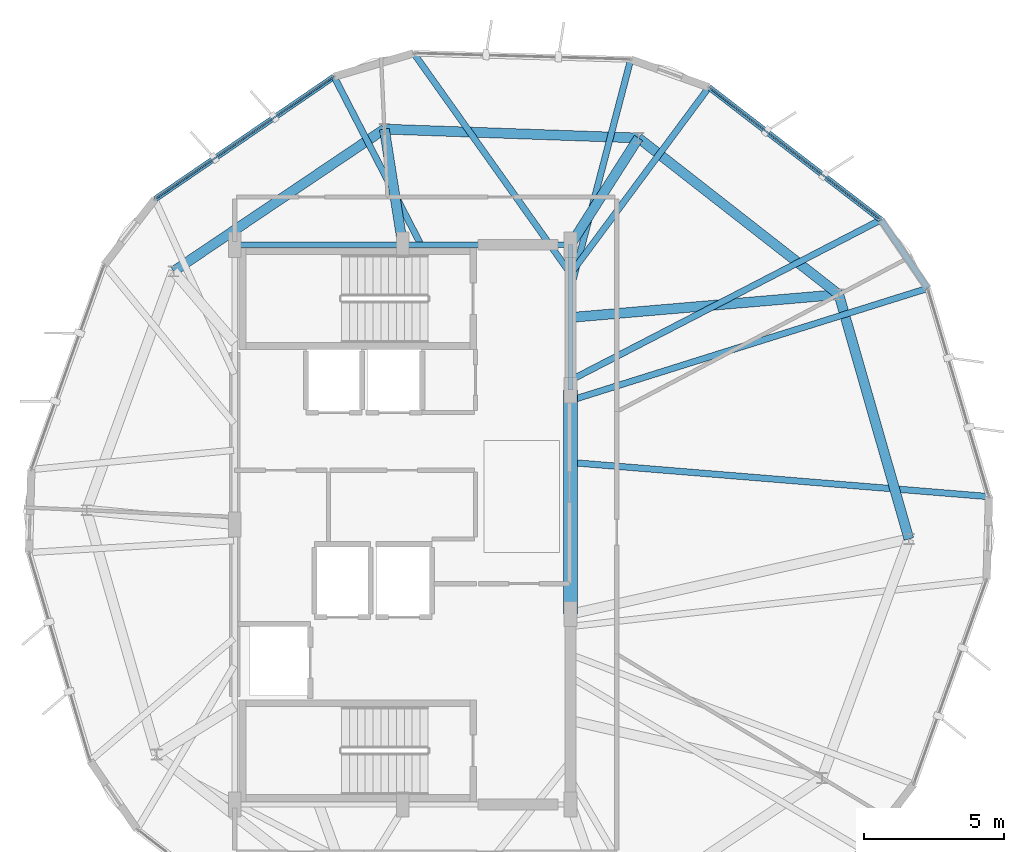
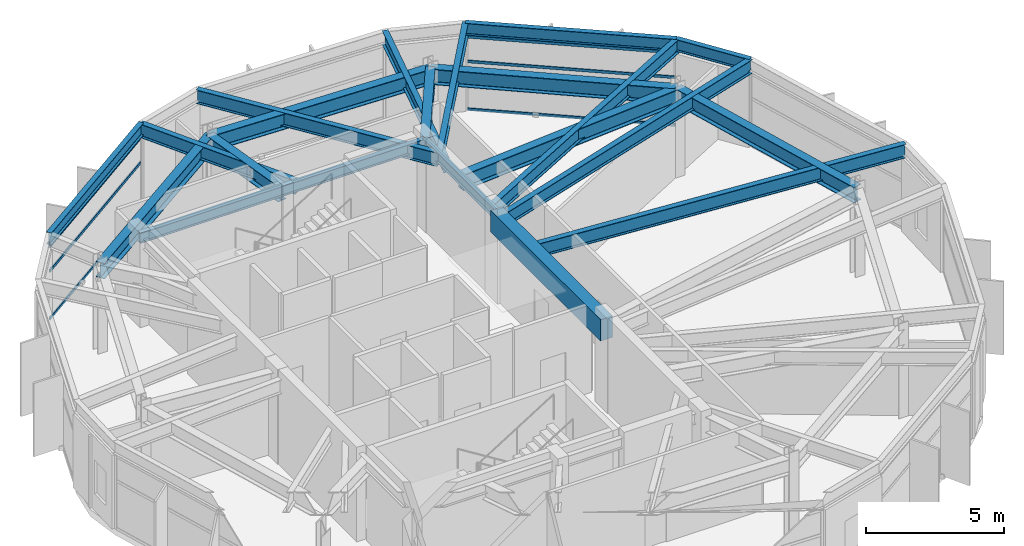
# One storey, part 10 of 20: 21 beams, 6 members, 2 elements without a shape of their own.
"""IFC4 building model written with IfcOpenShell, lengths in metres."""

from ifc_helpers import new_model, si_unit, direction, frame, origin, origin_2d, place, context, subcontext, project, spatial, rectangle, hollow_rectangle, i_section, extrude, material, layer, layer_set, material_profile, profile_set, type_object, element, aggregate, save


model = new_model("IFC4")

# Units and contexts
model_context = context("Model", 3, precision=1e-05, world=origin(), true_north=direction((0.0, 1.0)))
body_context = subcontext(model_context, "Body", "Model", "MODEL_VIEW")
ifc_project = project(units=[si_unit("LENGTHUNIT", "METRE"), si_unit("AREAUNIT", "SQUARE_METRE"), si_unit("VOLUMEUNIT", "CUBIC_METRE"), si_unit("PLANEANGLEUNIT", "RADIAN"), si_unit("MASSUNIT", "GRAM", prefix="KILO")], contexts=[model_context])

# Site, building, storey
site_placement = place(None, origin())
site = spatial("IfcSite", under=ifc_project, at=site_placement, CompositionType="ELEMENT")
building_placement = place(site_placement, origin())
building = spatial("IfcBuilding", under=site, at=building_placement, Name="Soratama Intermodal Tower", CompositionType="ELEMENT")
storey_placement = place(building_placement, frame((0.0, 0.0, 293.050048828125)))
storey = spatial("IfcBuildingStorey", under=building, at=storey_placement, Name="L74", CompositionType="ELEMENT", Elevation=293.050048828125)

# Beams
ifc_material_1 = material(Name="Concrete f'c 56 MPa", Category="concrete")
ifc_material_profile_1 = material_profile(ifc_material_1, rectangle(XDim=0.5, YDim=0.949951171875, at=origin_2d()), Name="RC500X950")
ifc_profile_set_1 = profile_set([ifc_material_profile_1], Name="Concrete f'c 56 MPa")
beam_type_1 = type_object("IfcBeamType", Name="BM-CPL-RC500X950", PredefinedType="BEAM", material=ifc_profile_set_1)
beam_1_placement = place(storey_placement, frame((44.60009765625, 21.800048828125, 3.419921875), z_axis=(0.0, 1.0, 0.0), x_axis=(-1.0, 0.0, 0.0)))
element("IfcBeam", 1, at=beam_1_placement, inside=storey, type_object=beam_type_1, Name="L74 Core Coupling Beam East", PredefinedType="BEAM", context=body_context, shape_type="SweptSolid", body=[
    extrude(rectangle(XDim=0.5, YDim=0.949951171875, at=origin_2d()), origin(), (0.0, 0.0, 1.0), 8.0),
])
ifc_material_2 = material(Name="Structural steel ASTM A992 Grade 50", Category="steel")
ifc_material_profile_2 = material_profile(ifc_material_2, i_section(OverallWidth=0.19091796875, OverallDepth=0.4599609375, WebThickness=0.010009765625, FlangeThickness=0.01611328125, FilletRadius=0.010986328125, at=origin_2d()), Name="W18X55")
ifc_profile_set_2 = profile_set([ifc_material_profile_2], Name="Structural steel ASTM A992 Grade 50")
beam_type_2 = type_object("IfcBeamType", Name="BM-FLR-W18X55", PredefinedType="BEAM", material=ifc_profile_set_2)
beam_2_placement = place(storey_placement, frame((44.60009765625, 29.800048828125, 3.6650390625), z_axis=(0.0, 1.0, 0.0), x_axis=(-1.0, 0.0, 0.0)))
element("IfcBeam", 2, at=beam_2_placement, inside=storey, type_object=beam_type_2, Name="BM-L74-CRING-05", PredefinedType="BEAM", context=body_context, shape_type="SweptSolid", body=[
    extrude(i_section(OverallWidth=0.19091796875, OverallDepth=0.4599609375, WebThickness=0.010009765625, FlangeThickness=0.01611328125, FilletRadius=0.010986328125, at=origin_2d()), origin(), (0.0, 0.0, 1.0), 5.199951171875),
])
for number, where, z_axis, x_axis, name in (
    (3, (44.60009765625, 35.0, 3.6650390625), (-1.0, 0.0, 0.0), (0.0, -1.0, 0.0), "BM-L74-CRING-06"),
    (4, (38.60009765625, 35.0, 3.6650390625), (-1.0, 0.0, 0.0), (0.0, -1.0, 0.0), "BM-L74-CRING-07"),
):
    element("IfcBeam", number, at=place(storey_placement, frame(where, z_axis=z_axis, x_axis=x_axis)), inside=storey, type_object=beam_type_2, Name=name, PredefinedType="BEAM", context=body_context, shape_type="SweptSolid", body=[
        extrude(i_section(OverallWidth=0.19091796875, OverallDepth=0.4599609375, WebThickness=0.010009765625, FlangeThickness=0.01611328125, FilletRadius=0.010986328125, at=origin_2d()), origin(), (0.0, 0.0, 1.0), 6.0),
    ])
ifc_material_3 = material(Name="Structural steel ASTM A992 Grade 50", Category="steel")
ifc_material_profile_3 = material_profile(ifc_material_3, i_section(OverallWidth=0.35498046875, OverallDepth=0.695068359375, WebThickness=0.015380859375, FlangeThickness=0.02490234375, FilletRadius=0.01611328125, at=origin_2d()), Name="W27X146")
ifc_profile_set_3 = profile_set([ifc_material_profile_3], Name="Structural steel ASTM A992 Grade 50")
beam_type_3 = type_object("IfcBeamType", Name="BM-RING-W27X146", PredefinedType="BEAM", material=ifc_profile_set_3)
beam_3_placement = place(storey_placement, frame((54.18701171875, 33.219970703125, 3.54736328125), z_axis=(-0.78801907717, 0.615650821502, 0.0), x_axis=(-0.615650821502, -0.78801907717, 0.0)))
element("IfcBeam", 5, at=beam_3_placement, inside=storey, type_object=beam_type_3, Name="BM-L74-RING-01", PredefinedType="BEAM", context=body_context, shape_type="SweptSolid", body=[
    extrude(i_section(OverallWidth=0.35498046875, OverallDepth=0.695068359375, WebThickness=0.015380859375, FlangeThickness=0.02490234375, FilletRadius=0.01611328125, at=origin_2d()), origin(), (0.0, 0.0, 1.0), 9.084716796875),
])
beam_4_placement = place(storey_placement, frame((47.028076171875, 38.81298828125, 3.54736328125), z_axis=(-0.999391551516, 0.034878743651, 0.0), x_axis=(-0.034878743651, -0.999391551516, 0.0)))
element("IfcBeam", 6, at=beam_4_placement, inside=storey, type_object=beam_type_3, Name="BM-L74-RING-02", PredefinedType="BEAM", context=body_context, shape_type="SweptSolid", body=[
    extrude(i_section(OverallWidth=0.35498046875, OverallDepth=0.695068359375, WebThickness=0.015380859375, FlangeThickness=0.02490234375, FilletRadius=0.01611328125, at=origin_2d()), origin(), (0.0, 0.0, 1.0), 9.085693359375),
])
beam_5_placement = place(storey_placement, frame((37.947998046875, 39.1298828125, 3.54736328125), z_axis=(-0.829065755123, -0.559151118824, 0.0), x_axis=(0.559151118824, -0.829065755123, 0.0)))
element("IfcBeam", 7, at=beam_5_placement, inside=storey, type_object=beam_type_3, Name="BM-L74-RING-03", PredefinedType="BEAM", context=body_context, shape_type="SweptSolid", body=[
    extrude(i_section(OverallWidth=0.35498046875, OverallDepth=0.695068359375, WebThickness=0.015380859375, FlangeThickness=0.02490234375, FilletRadius=0.01611328125, at=origin_2d()), origin(), (0.0, 0.0, 1.0), 9.0849609375),
])
beam_6_placement = place(storey_placement, frame((56.69091796875, 24.487060546875, 3.54736328125), z_axis=(-0.275615442928, 0.961267979088, 0.0), x_axis=(-0.961267979088, -0.275615442928, 0.0)))
element("IfcBeam", 8, at=beam_6_placement, inside=storey, type_object=beam_type_3, Name="BM-L74-RING-10", PredefinedType="BEAM", context=body_context, shape_type="SweptSolid", body=[
    extrude(i_section(OverallWidth=0.35498046875, OverallDepth=0.695068359375, WebThickness=0.015380859375, FlangeThickness=0.02490234375, FilletRadius=0.01611328125, at=origin_2d()), origin(), (0.0, 0.0, 1.0), 9.084716796875),
])
beam_7_placement = place(storey_placement, frame((44.60009765625, 32.39990234375, 3.54736328125), z_axis=(0.996361377068, 0.085229139899, 0.0), x_axis=(-0.085229139899, 0.996361377068, 0.0)))
element("IfcBeam", 9, at=beam_7_placement, inside=storey, type_object=beam_type_3, Name="BM-L74-RAD-01", PredefinedType="BEAM", context=body_context, shape_type="SweptSolid", body=[
    extrude(i_section(OverallWidth=0.35498046875, OverallDepth=0.695068359375, WebThickness=0.015380859375, FlangeThickness=0.02490234375, FilletRadius=0.01611328125, at=origin_2d()), origin(), (0.0, 0.0, 1.0), 9.621826171875),
])
beam_8_placement = place(storey_placement, frame((44.60009765625, 35.0, 3.54736328125), z_axis=(0.537116603261, 0.843508005001, 0.0), x_axis=(-0.843508005001, 0.537116603261, 0.0)))
element("IfcBeam", 10, at=beam_8_placement, inside=storey, type_object=beam_type_3, Name="BM-L74-RAD-02", PredefinedType="BEAM", context=body_context, shape_type="SweptSolid", body=[
    extrude(i_section(OverallWidth=0.35498046875, OverallDepth=0.695068359375, WebThickness=0.015380859375, FlangeThickness=0.02490234375, FilletRadius=0.01611328125, at=origin_2d()), origin(), (0.0, 0.0, 1.0), 4.5205078125),
])
beam_9_placement = place(storey_placement, frame((38.60009765625, 35.0, 3.54736328125), z_axis=(-0.155965571991, 0.987762491874, 0.0), x_axis=(-0.987762491874, -0.155965571991, 0.0)))
element("IfcBeam", 11, at=beam_9_placement, inside=storey, type_object=beam_type_3, Name="BM-L74-RAD-03", PredefinedType="BEAM", context=body_context, shape_type="SweptSolid", body=[
    extrude(i_section(OverallWidth=0.35498046875, OverallDepth=0.695068359375, WebThickness=0.015380859375, FlangeThickness=0.02490234375, FilletRadius=0.01611328125, at=origin_2d()), origin(), (0.0, 0.0, 1.0), 4.18115234375),
])
ifc_material_4 = material(Name="Structural steel ASTM A992 Grade 50", Category="steel")
ifc_material_profile_4 = material_profile(ifc_material_4, i_section(OverallWidth=0.2099609375, OverallDepth=0.537109375, WebThickness=0.010986328125, FlangeThickness=0.017333984375, FilletRadius=0.012939453125, at=origin_2d()), Name="W21X68")
ifc_profile_set_4 = profile_set([ifc_material_profile_4], Name="Structural steel ASTM A992 Grade 50")
beam_type_4 = type_object("IfcBeamType", Name="BM-SPN-W21X68", PredefinedType="SPANDREL", material=ifc_profile_set_4)
beam_10_placement = place(storey_placement, frame((36.14990234375, 41.0048828125, 3.62646484375), z_axis=(-0.825308805014, -0.564681659314, 0.0), x_axis=(0.564681659314, -0.825308805014, 0.0)))
element("IfcBeam", 12, at=beam_10_placement, inside=storey, type_object=beam_type_4, Name="BS-L74-F02", PredefinedType="SPANDREL", context=body_context, shape_type="SweptSolid", body=[
    extrude(i_section(OverallWidth=0.2099609375, OverallDepth=0.537109375, WebThickness=0.010986328125, FlangeThickness=0.017333984375, FilletRadius=0.012939453125, at=origin_2d()), origin(), (0.0, 0.0, 1.0), 7.758056640625),
])
beam_11_placement = place(storey_placement, frame((57.364990234375, 33.44189453125, 3.62646484375), z_axis=(-0.564707520354, 0.825291110128, 0.0), x_axis=(-0.825291110128, -0.564707520354, 0.0)))
element("IfcBeam", 13, at=beam_11_placement, inside=storey, type_object=beam_type_4, Name="BS-L74-CRN09", PredefinedType="SPANDREL", context=body_context, shape_type="SweptSolid", body=[
    extrude(i_section(OverallWidth=0.2099609375, OverallDepth=0.537109375, WebThickness=0.010986328125, FlangeThickness=0.017333984375, FilletRadius=0.012939453125, at=origin_2d()), origin(), (0.0, 0.0, 1.0), 2.96630859375),
])
beam_12_placement = place(storey_placement, frame((55.68994140625, 35.889892578125, 3.62646484375), z_axis=(-0.792053940466, 0.610451108109, 0.0), x_axis=(-0.610451108109, -0.792053940466, 0.0)))
element("IfcBeam", 14, at=beam_12_placement, inside=storey, type_object=beam_type_4, Name="BS-L74-F10", PredefinedType="SPANDREL", context=body_context, shape_type="SweptSolid", body=[
    extrude(i_section(OverallWidth=0.2099609375, OverallDepth=0.537109375, WebThickness=0.010986328125, FlangeThickness=0.017333984375, FilletRadius=0.012939453125, at=origin_2d()), origin(), (0.0, 0.0, 1.0), 7.75830078125),
])
ifc_material_5 = material(Name="Structural steel ASTM A992 Grade 50", Category="steel")
ifc_material_profile_5 = material_profile(ifc_material_5, i_section(OverallWidth=0.22900390625, OverallDepth=0.612060546875, WebThickness=0.011962890625, FlangeThickness=0.01953125, FilletRadius=0.012939453125, at=origin_2d()), Name="W24X84")
ifc_profile_set_5 = profile_set([ifc_material_profile_5], Name="Structural steel ASTM A992 Grade 50")
beam_type_5 = type_object("IfcBeamType", Name="BM-TIE-W24X84", PredefinedType="BEAM", material=ifc_profile_set_5)
beam_13_placement = place(storey_placement, frame((44.610107421875, 33.444091796875, 3.5888671875), z_axis=(0.253250641274, 0.967400699139, 0.0), x_axis=(-0.967400699139, 0.253250641274, 0.0)))
element("IfcBeam", 15, at=beam_13_placement, inside=storey, type_object=beam_type_5, Name="BM-L74-TIE0-01", PredefinedType="BEAM", context=body_context, shape_type="SweptSolid", body=[
    extrude(i_section(OverallWidth=0.22900390625, OverallDepth=0.612060546875, WebThickness=0.011962890625, FlangeThickness=0.01953125, FilletRadius=0.012939453125, at=origin_2d()), origin(), (0.0, 0.0, 1.0), 8.45361328125),
])
beam_14_placement = place(storey_placement, frame((44.576904296875, 33.99609375, 3.5888671875), z_axis=(-0.579625199725, 0.814883198896, 0.0), x_axis=(-0.814883198896, -0.579625199725, 0.0)))
element("IfcBeam", 16, at=beam_14_placement, inside=storey, type_object=beam_type_5, Name="BM-L74-TIE1-01", PredefinedType="BEAM", context=body_context, shape_type="SweptSolid", body=[
    extrude(i_section(OverallWidth=0.22900390625, OverallDepth=0.612060546875, WebThickness=0.011962890625, FlangeThickness=0.01953125, FilletRadius=0.012939453125, at=origin_2d()), origin(), (0.0, 0.0, 1.0), 9.62841796875),
])
beam_15_placement = place(storey_placement, frame((39.235107421875, 35.035888671875, 3.5888671875), z_axis=(-0.459163919567, 0.888351560458, 0.0), x_axis=(-0.888351560458, -0.459163919567, 0.0)))
element("IfcBeam", 17, at=beam_15_placement, inside=storey, type_object=beam_type_5, Name="BM-L74-TIE0-02", PredefinedType="BEAM", context=body_context, shape_type="SweptSolid", body=[
    extrude(i_section(OverallWidth=0.22900390625, OverallDepth=0.612060546875, WebThickness=0.011962890625, FlangeThickness=0.01953125, FilletRadius=0.012939453125, at=origin_2d()), origin(), (0.0, 0.0, 1.0), 6.71923828125),
])
beam_16_placement = place(storey_placement, frame((44.833984375, 27.199951171875, 3.5888671875), z_axis=(0.996688034851, -0.081320115501, 0.0), x_axis=(0.081320115501, 0.996688034851, 0.0)))
element("IfcBeam", 18, at=beam_16_placement, inside=storey, type_object=beam_type_5, Name="BM-L74-TIE0-09", PredefinedType="BEAM", context=body_context, shape_type="SweptSolid", body=[
    extrude(i_section(OverallWidth=0.22900390625, OverallDepth=0.612060546875, WebThickness=0.011962890625, FlangeThickness=0.01953125, FilletRadius=0.012939453125, at=origin_2d()), origin(), (0.0, 0.0, 1.0), 14.767822265625),
])
beam_17_placement = place(storey_placement, frame((44.823974609375, 29.5048828125, 3.5888671875), z_axis=(0.954090509467, 0.299518446419, 0.0), x_axis=(-0.299518446419, 0.954090509467, 0.0)))
element("IfcBeam", 19, at=beam_17_placement, inside=storey, type_object=beam_type_5, Name="BM-L74-TIE1-09", PredefinedType="BEAM", context=body_context, shape_type="SweptSolid", body=[
    extrude(i_section(OverallWidth=0.22900390625, OverallDepth=0.612060546875, WebThickness=0.011962890625, FlangeThickness=0.01953125, FilletRadius=0.012939453125, at=origin_2d()), origin(), (0.0, 0.0, 1.0), 13.14453125),
])
beam_18_placement = place(storey_placement, frame((44.635986328125, 30.177001953125, 3.5888671875), z_axis=(0.888370823711, 0.459126648736, 0.0), x_axis=(-0.459126648736, 0.888370823711, 0.0)))
element("IfcBeam", 20, at=beam_18_placement, inside=storey, type_object=beam_type_5, Name="BM-L74-TIE0-10", PredefinedType="BEAM", context=body_context, shape_type="SweptSolid", body=[
    extrude(i_section(OverallWidth=0.22900390625, OverallDepth=0.612060546875, WebThickness=0.011962890625, FlangeThickness=0.01953125, FilletRadius=0.012939453125, at=origin_2d()), origin(), (0.0, 0.0, 1.0), 12.44287109375),
])
beam_19_placement = place(storey_placement, frame((44.6240234375, 33.992919921875, 3.5888671875), z_axis=(0.595815558156, 0.803121298846, 0.0), x_axis=(-0.803121298846, 0.595815558156, 0.0)))
element("IfcBeam", 21, at=beam_19_placement, inside=storey, type_object=beam_type_5, Name="BM-L74-TIE1-10", PredefinedType="BEAM", context=body_context, shape_type="SweptSolid", body=[
    extrude(i_section(OverallWidth=0.22900390625, OverallDepth=0.612060546875, WebThickness=0.011962890625, FlangeThickness=0.01953125, FilletRadius=0.012939453125, at=origin_2d()), origin(), (0.0, 0.0, 1.0), 8.259033203125),
])

# Curtain wall, members
ifc_material_6 = material(Name="Double-glazed aluminium curtain wall", Category="aluminium")
ifc_layer = layer(ifc_material_6, 0.159912109375)
ifc_layer_set = layer_set([ifc_layer], Name="Double-glazed aluminium curtain wall")
curtain_wall_type = type_object("IfcCurtainWallType", Name="CW-SYS-6", PredefinedType="NOTDEFINED", material=ifc_layer_set)
curtain_wall_1_placement = place(storey_placement, origin())
curtain_wall_1 = element("IfcCurtainWall", 22, at=curtain_wall_1_placement, inside=storey, type_object=curtain_wall_type, Name="L74 Faceted Curtain Wall F02", PredefinedType="NOTDEFINED")
ifc_material_7 = material(Name="Anodised aluminium AA 6063-T6", Category="aluminium")
ifc_material_profile_6 = material_profile(ifc_material_7, hollow_rectangle(XDim=0.06005859375, YDim=0.1298828125, WallThickness=0.0048828125, InnerFilletRadius=0.0048828125, OuterFilletRadius=0.010009765625, at=origin_2d()), Name="CWT130X60X5")
ifc_profile_set_6 = profile_set([ifc_material_profile_6], Name="Anodised aluminium AA 6063-T6")
member_type = type_object("IfcMemberType", Name="TT-CWT-2", PredefinedType="USERDEFINED", material=ifc_profile_set_6)
member_1_placement = place(storey_placement, frame((36.10009765625, 40.97119140625, 0.030029296875), z_axis=(-0.82530726125, -0.564683915592, 0.0), x_axis=(0.564683915592, -0.82530726125, 0.0)))
member_1 = element("IfcMember", 23, at=member_1_placement, type_object=member_type, Name="CW-6 transom 1.1", ObjectType="TRANSOM", PredefinedType="USERDEFINED", context=body_context, shape_type="SweptSolid", body=[
    extrude(hollow_rectangle(XDim=0.06005859375, YDim=0.1298828125, WallThickness=0.0048828125, InnerFilletRadius=0.0048828125, OuterFilletRadius=0.010009765625, at=origin_2d()), origin(), (0.0, 0.0, 1.0), 7.638427734375),
])
member_2_placement = place(storey_placement, frame((36.10009765625, 40.97119140625, 2.14990234375), z_axis=(-0.82530726125, -0.564683915592, 0.0), x_axis=(0.564683915592, -0.82530726125, 0.0)))
member_2 = element("IfcMember", 24, at=member_2_placement, type_object=member_type, Name="CW-6 transom 1.2", ObjectType="TRANSOM", PredefinedType="USERDEFINED", context=body_context, shape_type="SweptSolid", body=[
    extrude(hollow_rectangle(XDim=0.06005859375, YDim=0.1298828125, WallThickness=0.0048828125, InnerFilletRadius=0.0048828125, OuterFilletRadius=0.010009765625, at=origin_2d()), origin(), (0.0, 0.0, 1.0), 7.638427734375),
])
member_3_placement = place(storey_placement, frame((36.10009765625, 40.97119140625, 3.243896484375), z_axis=(-0.82530726125, -0.564683915592, 0.0), x_axis=(0.564683915592, -0.82530726125, 0.0)))
member_3 = element("IfcMember", 25, at=member_3_placement, type_object=member_type, Name="CW-6 transom 1.3", ObjectType="TRANSOM", PredefinedType="USERDEFINED", context=body_context, shape_type="SweptSolid", body=[
    extrude(hollow_rectangle(XDim=0.06005859375, YDim=0.1298828125, WallThickness=0.0048828125, InnerFilletRadius=0.0048828125, OuterFilletRadius=0.010009765625, at=origin_2d()), origin(), (0.0, 0.0, 1.0), 7.638427734375),
])
aggregate(curtain_wall_1, [member_1, member_2, member_3])

curtain_wall_2_placement = place(storey_placement, origin())
curtain_wall_2 = element("IfcCurtainWall", 26, at=curtain_wall_2_placement, inside=storey, type_object=curtain_wall_type, Name="L74 Faceted Curtain Wall F10", PredefinedType="NOTDEFINED")
member_4_placement = place(storey_placement, frame((55.642578125, 35.927001953125, 0.030029296875), z_axis=(-0.792087789121, 0.610407187315, 0.0), x_axis=(-0.610407187315, -0.792087789121, 0.0)))
member_4 = element("IfcMember", 27, at=member_4_placement, type_object=member_type, Name="CW-6 transom 1.1", ObjectType="TRANSOM", PredefinedType="USERDEFINED", context=body_context, shape_type="SweptSolid", body=[
    extrude(hollow_rectangle(XDim=0.06005859375, YDim=0.1298828125, WallThickness=0.0048828125, InnerFilletRadius=0.0048828125, OuterFilletRadius=0.010009765625, at=origin_2d()), origin(), (0.0, 0.0, 1.0), 7.63818359375),
])
member_5_placement = place(storey_placement, frame((55.642578125, 35.927001953125, 2.14990234375), z_axis=(-0.792087789121, 0.610407187315, 0.0), x_axis=(-0.610407187315, -0.792087789121, 0.0)))
member_5 = element("IfcMember", 28, at=member_5_placement, type_object=member_type, Name="CW-6 transom 1.2", ObjectType="TRANSOM", PredefinedType="USERDEFINED", context=body_context, shape_type="SweptSolid", body=[
    extrude(hollow_rectangle(XDim=0.06005859375, YDim=0.1298828125, WallThickness=0.0048828125, InnerFilletRadius=0.0048828125, OuterFilletRadius=0.010009765625, at=origin_2d()), origin(), (0.0, 0.0, 1.0), 7.63818359375),
])
member_6_placement = place(storey_placement, frame((55.642578125, 35.927001953125, 3.243896484375), z_axis=(-0.792087789121, 0.610407187315, 0.0), x_axis=(-0.610407187315, -0.792087789121, 0.0)))
member_6 = element("IfcMember", 29, at=member_6_placement, type_object=member_type, Name="CW-6 transom 1.3", ObjectType="TRANSOM", PredefinedType="USERDEFINED", context=body_context, shape_type="SweptSolid", body=[
    extrude(hollow_rectangle(XDim=0.06005859375, YDim=0.1298828125, WallThickness=0.0048828125, InnerFilletRadius=0.0048828125, OuterFilletRadius=0.010009765625, at=origin_2d()), origin(), (0.0, 0.0, 1.0), 7.63818359375),
])
aggregate(curtain_wall_2, [member_4, member_5, member_6])

save(model, "model.ifc")
